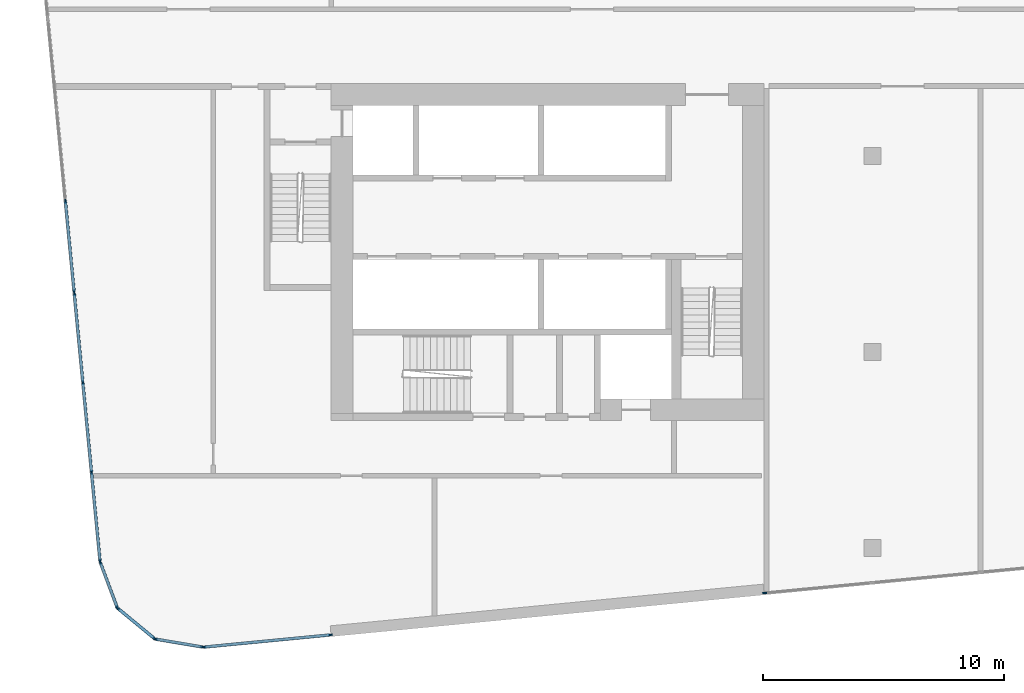
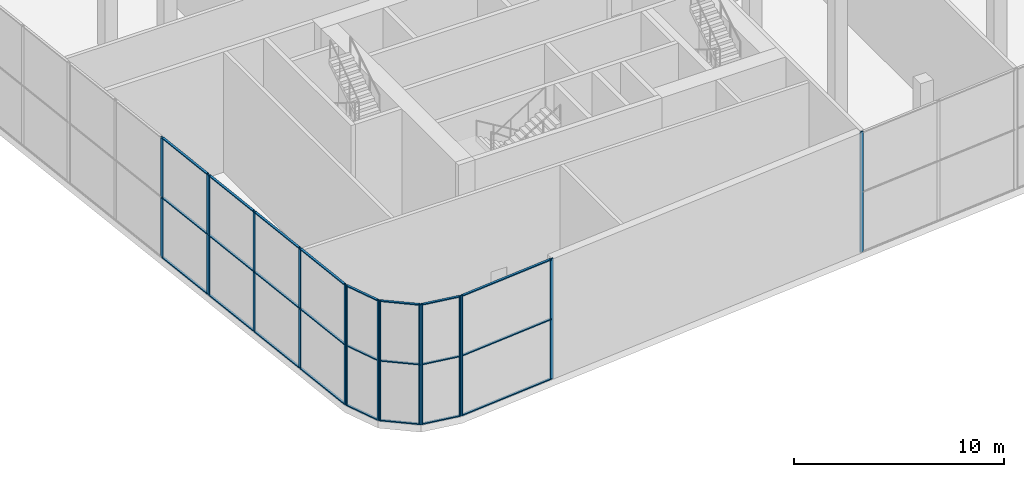
# One storey, part 2 of 25: 39 members, 7 elements without a shape of their own.
"""IFC4 building model written with IfcOpenShell, lengths in metres."""

from ifc_helpers import new_model, si_unit, direction, frame, origin, origin_2d, place, context, subcontext, project, spatial, rectangle, extrude, material, material_profile, profile_set, type_object, element, aggregate, save


model = new_model("IFC4")

# Units and contexts
model_context = context("Model", 3, precision=1e-05, world=origin(), true_north=direction((0.0, 1.0)))
body_context = subcontext(model_context, "Body", "Model", "MODEL_VIEW")
ifc_project = project(units=[si_unit("LENGTHUNIT", "METRE"), si_unit("AREAUNIT", "SQUARE_METRE"), si_unit("VOLUMEUNIT", "CUBIC_METRE"), si_unit("PLANEANGLEUNIT", "RADIAN"), si_unit("MASSUNIT", "GRAM", prefix="KILO")], contexts=[model_context])

# Site, building, storey
site_placement = place(None, origin())
site = spatial("IfcSite", under=ifc_project, at=site_placement, CompositionType="ELEMENT")
building_placement = place(site_placement, origin())
building = spatial("IfcBuilding", under=site, at=building_placement, Name="Kajstack Hotel Tower", CompositionType="ELEMENT")
storey_placement = place(building_placement, frame((0.0, 0.0, 155.0)))
storey = spatial("IfcBuildingStorey", under=building, at=storey_placement, Name="L36", CompositionType="ELEMENT", Elevation=155.0)

# Curtain wall, members
ifc_material_1 = material(Name="Aluminium-framed curtain wall, insulated glass with fritted edge", Category="aluminium")
curtain_wall_type = type_object("IfcCurtainWallType", Name="CW-SPA", PredefinedType="NOTDEFINED", material=ifc_material_1)
curtain_wall_1_placement = place(storey_placement, origin())
curtain_wall_1 = element("IfcCurtainWall", 1, at=curtain_wall_1_placement, inside=storey, type_object=curtain_wall_type, Name="Curtain wall CU7 L36-00-00-1", PredefinedType="NOTDEFINED")
ifc_material_2 = material(Name="Aluminium", Category="aluminium")
ifc_material_profile_1 = material_profile(ifc_material_2, rectangle(XDim=0.06005859375, YDim=0.179931640625, at=origin_2d()), Name="Aluminium mullion 60 x 180")
ifc_profile_set_1 = profile_set([ifc_material_profile_1], Name="Aluminium")
member_type_1 = type_object("IfcMemberType", Name="CW-M-SPA", PredefinedType="MULLION", material=ifc_profile_set_1)
member_1_placement = place(storey_placement, frame((-42.549072265625, -6.392822265625, 0.0), z_axis=(0.0, 0.0, 1.0), x_axis=(0.995396336722, 0.095844315639, 0.0)))
member_1 = element("IfcMember", 2, at=member_1_placement, type_object=member_type_1, Name="CU7 mullion 3", PredefinedType="MULLION", context=body_context, shape_type="SweptSolid", body=[
    extrude(rectangle(XDim=0.06005859375, YDim=0.179931640625, at=origin_2d()), origin(), (0.0, 0.0, 1.0), 7.0),
])
member_2_placement = place(storey_placement, frame((-42.186279296875, -10.162841796875, 0.0), z_axis=(0.0, 0.0, 1.0), x_axis=(0.995396336722, 0.095844315639, 0.0)))
member_2 = element("IfcMember", 3, at=member_2_placement, type_object=member_type_1, Name="CU7 mullion 4", PredefinedType="MULLION", context=body_context, shape_type="SweptSolid", body=[
    extrude(rectangle(XDim=0.06005859375, YDim=0.179931640625, at=origin_2d()), origin(), (0.0, 0.0, 1.0), 7.0),
])

curtain_wall_2_placement = place(storey_placement, origin())
curtain_wall_2 = element("IfcCurtainWall", 4, at=curtain_wall_2_placement, inside=storey, type_object=curtain_wall_type, Name="Curtain wall CU7 L36-00-00-2", PredefinedType="NOTDEFINED")
member_3_placement = place(storey_placement, frame((-42.180419921875, -10.22265625, 0.0), z_axis=(0.0, 0.0, 1.0), x_axis=(0.995396334827, 0.095844335322, 0.0)))
member_3 = element("IfcMember", 5, at=member_3_placement, type_object=member_type_1, Name="CU7 mullion 1", PredefinedType="MULLION", context=body_context, shape_type="SweptSolid", body=[
    extrude(rectangle(XDim=0.06005859375, YDim=0.179931640625, at=origin_2d()), origin(), (0.0, 0.0, 1.0), 7.0),
])
member_4_placement = place(storey_placement, frame((-41.82373046875, -13.926025390625, 0.0), z_axis=(0.0, 0.0, 1.0), x_axis=(0.995396334827, 0.095844335322, 0.0)))
member_4 = element("IfcMember", 6, at=member_4_placement, type_object=member_type_1, Name="CU7 mullion 2", PredefinedType="MULLION", context=body_context, shape_type="SweptSolid", body=[
    extrude(rectangle(XDim=0.06005859375, YDim=0.179931640625, at=origin_2d()), origin(), (0.0, 0.0, 1.0), 7.0),
])
member_5_placement = place(storey_placement, frame((-41.46435546875, -17.658935546875, 0.0), z_axis=(0.0, 0.0, 1.0), x_axis=(0.995396334827, 0.095844335322, 0.0)))
member_5 = element("IfcMember", 7, at=member_5_placement, type_object=member_type_1, Name="CU7 mullion 3", PredefinedType="MULLION", context=body_context, shape_type="SweptSolid", body=[
    extrude(rectangle(XDim=0.06005859375, YDim=0.179931640625, at=origin_2d()), origin(), (0.0, 0.0, 1.0), 7.0),
])
member_6_placement = place(storey_placement, frame((-41.10791015625, -21.3623046875, 0.0), z_axis=(0.0, 0.0, 1.0), x_axis=(0.995396334827, 0.095844335322, 0.0)))
member_6 = element("IfcMember", 8, at=member_6_placement, type_object=member_type_1, Name="CU7 mullion 4", PredefinedType="MULLION", context=body_context, shape_type="SweptSolid", body=[
    extrude(rectangle(XDim=0.06005859375, YDim=0.179931640625, at=origin_2d()), origin(), (0.0, 0.0, 1.0), 7.0),
])

curtain_wall_3_placement = place(storey_placement, origin())
curtain_wall_3 = element("IfcCurtainWall", 9, at=curtain_wall_3_placement, inside=storey, type_object=curtain_wall_type, Name="Curtain wall CU7 L36-01-00-0", PredefinedType="NOTDEFINED")
member_7_placement = place(storey_placement, frame((-41.098876953125, -21.401123046875, 0.0), z_axis=(0.0, 0.0, 1.0), x_axis=(0.936664162844, 0.350228848104, 0.0)))
member_7 = element("IfcMember", 10, at=member_7_placement, type_object=member_type_1, Name="CU7 mullion 1", PredefinedType="MULLION", context=body_context, shape_type="SweptSolid", body=[
    extrude(rectangle(XDim=0.06005859375, YDim=0.179931640625, at=origin_2d()), origin(), (0.0, 0.0, 1.0), 7.0),
])
member_8_placement = place(storey_placement, frame((-40.394775390625, -23.284423828125, 0.0), z_axis=(0.0, 0.0, 1.0), x_axis=(0.936664162844, 0.350228848104, 0.0)))
member_8 = element("IfcMember", 11, at=member_8_placement, type_object=member_type_1, Name="CU7 mullion 2", PredefinedType="MULLION", context=body_context, shape_type="SweptSolid", body=[
    extrude(rectangle(XDim=0.06005859375, YDim=0.179931640625, at=origin_2d()), origin(), (0.0, 0.0, 1.0), 7.0),
])

curtain_wall_4_placement = place(storey_placement, origin())
curtain_wall_4 = element("IfcCurtainWall", 12, at=curtain_wall_4_placement, inside=storey, type_object=curtain_wall_type, Name="Curtain wall CU7 L36-02-00-0", PredefinedType="NOTDEFINED")
member_9_placement = place(storey_placement, frame((-40.383544921875, -23.300048828125, 0.0), z_axis=(0.0, 0.0, 1.0), x_axis=(0.636089777678, 0.771615056057, 0.0)))
member_9 = element("IfcMember", 13, at=member_9_placement, type_object=member_type_1, Name="CU7 mullion 1", PredefinedType="MULLION", context=body_context, shape_type="SweptSolid", body=[
    extrude(rectangle(XDim=0.06005859375, YDim=0.179931640625, at=origin_2d()), origin(), (0.0, 0.0, 1.0), 7.0),
])
member_10_placement = place(storey_placement, frame((-38.832275390625, -24.578857421875, 0.0), z_axis=(0.0, 0.0, 1.0), x_axis=(0.636089777678, 0.771615056057, 0.0)))
member_10 = element("IfcMember", 14, at=member_10_placement, type_object=member_type_1, Name="CU7 mullion 2", PredefinedType="MULLION", context=body_context, shape_type="SweptSolid", body=[
    extrude(rectangle(XDim=0.06005859375, YDim=0.179931640625, at=origin_2d()), origin(), (0.0, 0.0, 1.0), 7.0),
])

curtain_wall_5_placement = place(storey_placement, origin())
curtain_wall_5 = element("IfcCurtainWall", 15, at=curtain_wall_5_placement, inside=storey, type_object=curtain_wall_type, Name="Curtain wall CU7 L36-03-00-0", PredefinedType="NOTDEFINED")
member_11_placement = place(storey_placement, frame((-38.81494140625, -24.586669921875, 0.0), z_axis=(0.0, 0.0, 1.0), x_axis=(0.165025489464, 0.986289302298, 0.0)))
member_11 = element("IfcMember", 16, at=member_11_placement, type_object=member_type_1, Name="CU7 mullion 1", PredefinedType="MULLION", context=body_context, shape_type="SweptSolid", body=[
    extrude(rectangle(XDim=0.06005859375, YDim=0.179931640625, at=origin_2d()), origin(), (0.0, 0.0, 1.0), 7.0),
])
member_12_placement = place(storey_placement, frame((-36.831787109375, -24.91845703125, 0.0), z_axis=(0.0, 0.0, 1.0), x_axis=(0.165025489464, 0.986289302298, 0.0)))
member_12 = element("IfcMember", 17, at=member_12_placement, type_object=member_type_1, Name="CU7 mullion 2", PredefinedType="MULLION", context=body_context, shape_type="SweptSolid", body=[
    extrude(rectangle(XDim=0.06005859375, YDim=0.179931640625, at=origin_2d()), origin(), (0.0, 0.0, 1.0), 7.0),
])

curtain_wall_6_placement = place(storey_placement, origin())
curtain_wall_6 = element("IfcCurtainWall", 18, at=curtain_wall_6_placement, inside=storey, type_object=curtain_wall_type, Name="Curtain wall CU7 L36-04-00-0", PredefinedType="NOTDEFINED")
member_13_placement = place(storey_placement, frame((-36.7919921875, -24.919921875, 0.0), z_axis=(0.0, 0.0, 1.0), x_axis=(-0.09584528696, 0.995396243195, 0.0)))
member_13 = element("IfcMember", 19, at=member_13_placement, type_object=member_type_1, Name="CU7 mullion 1", PredefinedType="MULLION", context=body_context, shape_type="SweptSolid", body=[
    extrude(rectangle(XDim=0.06005859375, YDim=0.179931640625, at=origin_2d()), origin(), (0.0, 0.0, 1.0), 7.0),
])
member_14_placement = place(storey_placement, frame((-31.537109375, -24.4140625, 0.0), z_axis=(0.0, 0.0, 1.0), x_axis=(-0.09584528696, 0.995396243195, 0.0)))
member_14 = element("IfcMember", 20, at=member_14_placement, type_object=member_type_1, Name="CU7 mullion 2", PredefinedType="MULLION", context=body_context, shape_type="SweptSolid", body=[
    extrude(rectangle(XDim=0.06005859375, YDim=0.179931640625, at=origin_2d()), origin(), (0.0, 0.0, 1.0), 7.0),
])

# Curtain wall, member
curtain_wall_7_placement = place(storey_placement, origin())
curtain_wall_7 = element("IfcCurtainWall", 21, at=curtain_wall_7_placement, inside=storey, type_object=curtain_wall_type, Name="Curtain wall CU7 L36-04-02-0", PredefinedType="NOTDEFINED")
member_15_placement = place(storey_placement, frame((-13.477294921875, -22.675048828125, 0.0), z_axis=(0.0, 0.0, 1.0), x_axis=(-0.095845383606, 0.99539623389, 0.0)))
member_15 = element("IfcMember", 22, at=member_15_placement, type_object=member_type_1, Name="CU7 mullion 1", PredefinedType="MULLION", context=body_context, shape_type="SweptSolid", body=[
    extrude(rectangle(XDim=0.06005859375, YDim=0.179931640625, at=origin_2d()), origin(), (0.0, 0.0, 1.0), 7.0),
])
aggregate(curtain_wall_7, [member_15])

# Member
ifc_material_profile_2 = material_profile(ifc_material_2, rectangle(XDim=0.1201171875, YDim=0.06005859375, at=origin_2d()), Name="Aluminium transom 120 x 60")
ifc_profile_set_2 = profile_set([ifc_material_profile_2], Name="Aluminium")
member_type_2 = type_object("IfcMemberType", Name="CW-T-SPA", PredefinedType="USERDEFINED", material=ifc_profile_set_2)
member_16_placement = place(storey_placement, frame((-42.54638671875, -6.422607421875, 0.030029296875), z_axis=(0.095884626486, -0.995392454464, 0.0), x_axis=(0.995392454464, 0.095884626486, 0.0)))
member_16 = element("IfcMember", 23, at=member_16_placement, type_object=member_type_2, Name="CU7 transom 3.1", ObjectType="TRANSOM", PredefinedType="USERDEFINED", context=body_context, shape_type="SweptSolid", body=[
    extrude(rectangle(XDim=0.1201171875, YDim=0.06005859375, at=origin_2d()), origin(), (0.0, 0.0, 1.0), 3.7275390625),
])

member_17_placement = place(storey_placement, frame((-42.54638671875, -6.422607421875, 3.5), z_axis=(0.095884626486, -0.995392454464, 0.0), x_axis=(0.995392454464, 0.095884626486, 0.0)))
member_17 = element("IfcMember", 24, at=member_17_placement, type_object=member_type_2, Name="CU7 transom 3.2", ObjectType="TRANSOM", PredefinedType="USERDEFINED", context=body_context, shape_type="SweptSolid", body=[
    extrude(rectangle(XDim=0.1201171875, YDim=0.06005859375, at=origin_2d()), origin(), (0.0, 0.0, 1.0), 3.7275390625),
])

member_18_placement = place(storey_placement, frame((-42.54638671875, -6.422607421875, 6.969970703125), z_axis=(0.095884626486, -0.995392454464, 0.0), x_axis=(0.995392454464, 0.095884626486, 0.0)))
member_18 = element("IfcMember", 25, at=member_18_placement, type_object=member_type_2, Name="CU7 transom 3.3", ObjectType="TRANSOM", PredefinedType="USERDEFINED", context=body_context, shape_type="SweptSolid", body=[
    extrude(rectangle(XDim=0.1201171875, YDim=0.06005859375, at=origin_2d()), origin(), (0.0, 0.0, 1.0), 3.7275390625),
])

aggregate(curtain_wall_1, [member_1, member_2, member_16, member_17, member_18])

member_19_placement = place(storey_placement, frame((-42.177490234375, -10.25244140625, 0.030029296875), z_axis=(0.095844579162, -0.995396311348, 0.0), x_axis=(0.995396311348, 0.095844579162, 0.0)))
member_19 = element("IfcMember", 26, at=member_19_placement, type_object=member_type_2, Name="CU7 transom 1.1", ObjectType="TRANSOM", PredefinedType="USERDEFINED", context=body_context, shape_type="SweptSolid", body=[
    extrude(rectangle(XDim=0.1201171875, YDim=0.06005859375, at=origin_2d()), origin(), (0.0, 0.0, 1.0), 3.660400390625),
])

member_20_placement = place(storey_placement, frame((-42.177490234375, -10.25244140625, 3.5), z_axis=(0.095844579162, -0.995396311348, 0.0), x_axis=(0.995396311348, 0.095844579162, 0.0)))
member_20 = element("IfcMember", 27, at=member_20_placement, type_object=member_type_2, Name="CU7 transom 1.2", ObjectType="TRANSOM", PredefinedType="USERDEFINED", context=body_context, shape_type="SweptSolid", body=[
    extrude(rectangle(XDim=0.1201171875, YDim=0.06005859375, at=origin_2d()), origin(), (0.0, 0.0, 1.0), 3.660400390625),
])

member_21_placement = place(storey_placement, frame((-42.177490234375, -10.25244140625, 6.969970703125), z_axis=(0.095844579162, -0.995396311348, 0.0), x_axis=(0.995396311348, 0.095844579162, 0.0)))
member_21 = element("IfcMember", 28, at=member_21_placement, type_object=member_type_2, Name="CU7 transom 1.3", ObjectType="TRANSOM", PredefinedType="USERDEFINED", context=body_context, shape_type="SweptSolid", body=[
    extrude(rectangle(XDim=0.1201171875, YDim=0.06005859375, at=origin_2d()), origin(), (0.0, 0.0, 1.0), 3.660400390625),
])

member_22_placement = place(storey_placement, frame((-41.821044921875, -13.955810546875, 0.030029296875), z_axis=(0.095861155272, -0.995394715131, 0.0), x_axis=(0.995394715131, 0.095861155272, 0.0)))
member_22 = element("IfcMember", 29, at=member_22_placement, type_object=member_type_2, Name="CU7 transom 2.1", ObjectType="TRANSOM", PredefinedType="USERDEFINED", context=body_context, shape_type="SweptSolid", body=[
    extrude(rectangle(XDim=0.1201171875, YDim=0.06005859375, at=origin_2d()), origin(), (0.0, 0.0, 1.0), 3.6904296875),
])

member_23_placement = place(storey_placement, frame((-41.821044921875, -13.955810546875, 3.5), z_axis=(0.095861155272, -0.995394715131, 0.0), x_axis=(0.995394715131, 0.095861155272, 0.0)))
member_23 = element("IfcMember", 30, at=member_23_placement, type_object=member_type_2, Name="CU7 transom 2.2", ObjectType="TRANSOM", PredefinedType="USERDEFINED", context=body_context, shape_type="SweptSolid", body=[
    extrude(rectangle(XDim=0.1201171875, YDim=0.06005859375, at=origin_2d()), origin(), (0.0, 0.0, 1.0), 3.6904296875),
])

member_24_placement = place(storey_placement, frame((-41.821044921875, -13.955810546875, 6.969970703125), z_axis=(0.095861155272, -0.995394715131, 0.0), x_axis=(0.995394715131, 0.095861155272, 0.0)))
member_24 = element("IfcMember", 31, at=member_24_placement, type_object=member_type_2, Name="CU7 transom 2.3", ObjectType="TRANSOM", PredefinedType="USERDEFINED", context=body_context, shape_type="SweptSolid", body=[
    extrude(rectangle(XDim=0.1201171875, YDim=0.06005859375, at=origin_2d()), origin(), (0.0, 0.0, 1.0), 3.6904296875),
])

member_25_placement = place(storey_placement, frame((-41.46142578125, -17.68896484375, 0.030029296875), z_axis=(0.095850942764, -0.99539569859, 0.0), x_axis=(0.99539569859, 0.095850942764, 0.0)))
member_25 = element("IfcMember", 32, at=member_25_placement, type_object=member_type_2, Name="CU7 transom 3.1", ObjectType="TRANSOM", PredefinedType="USERDEFINED", context=body_context, shape_type="SweptSolid", body=[
    extrude(rectangle(XDim=0.1201171875, YDim=0.06005859375, at=origin_2d()), origin(), (0.0, 0.0, 1.0), 3.66015625),
])

member_26_placement = place(storey_placement, frame((-41.46142578125, -17.68896484375, 3.5), z_axis=(0.095850942764, -0.99539569859, 0.0), x_axis=(0.99539569859, 0.095850942764, 0.0)))
member_26 = element("IfcMember", 33, at=member_26_placement, type_object=member_type_2, Name="CU7 transom 3.2", ObjectType="TRANSOM", PredefinedType="USERDEFINED", context=body_context, shape_type="SweptSolid", body=[
    extrude(rectangle(XDim=0.1201171875, YDim=0.06005859375, at=origin_2d()), origin(), (0.0, 0.0, 1.0), 3.66015625),
])

member_27_placement = place(storey_placement, frame((-41.46142578125, -17.68896484375, 6.969970703125), z_axis=(0.095850942764, -0.99539569859, 0.0), x_axis=(0.99539569859, 0.095850942764, 0.0)))
member_27 = element("IfcMember", 34, at=member_27_placement, type_object=member_type_2, Name="CU7 transom 3.3", ObjectType="TRANSOM", PredefinedType="USERDEFINED", context=body_context, shape_type="SweptSolid", body=[
    extrude(rectangle(XDim=0.1201171875, YDim=0.06005859375, at=origin_2d()), origin(), (0.0, 0.0, 1.0), 3.66015625),
])

aggregate(curtain_wall_2, [member_3, member_4, member_5, member_6, member_19, member_20, member_21, member_22, member_23, member_24, member_25, member_26, member_27])

member_28_placement = place(storey_placement, frame((-41.08837890625, -21.42919921875, 0.030029296875), z_axis=(0.350190587105, -0.936678468154, 0.0), x_axis=(0.936678468154, 0.350190587105, 0.0)))
member_28 = element("IfcMember", 35, at=member_28_placement, type_object=member_type_2, Name="CU7 transom 1.1", ObjectType="TRANSOM", PredefinedType="USERDEFINED", context=body_context, shape_type="SweptSolid", body=[
    extrude(rectangle(XDim=0.1201171875, YDim=0.06005859375, at=origin_2d()), origin(), (0.0, 0.0, 1.0), 1.95068359375),
])

member_29_placement = place(storey_placement, frame((-41.08837890625, -21.42919921875, 3.5), z_axis=(0.350190587105, -0.936678468154, 0.0), x_axis=(0.936678468154, 0.350190587105, 0.0)))
member_29 = element("IfcMember", 36, at=member_29_placement, type_object=member_type_2, Name="CU7 transom 1.2", ObjectType="TRANSOM", PredefinedType="USERDEFINED", context=body_context, shape_type="SweptSolid", body=[
    extrude(rectangle(XDim=0.1201171875, YDim=0.06005859375, at=origin_2d()), origin(), (0.0, 0.0, 1.0), 1.95068359375),
])

member_30_placement = place(storey_placement, frame((-41.08837890625, -21.42919921875, 6.969970703125), z_axis=(0.350190587105, -0.936678468154, 0.0), x_axis=(0.936678468154, 0.350190587105, 0.0)))
member_30 = element("IfcMember", 37, at=member_30_placement, type_object=member_type_2, Name="CU7 transom 1.3", ObjectType="TRANSOM", PredefinedType="USERDEFINED", context=body_context, shape_type="SweptSolid", body=[
    extrude(rectangle(XDim=0.1201171875, YDim=0.06005859375, at=origin_2d()), origin(), (0.0, 0.0, 1.0), 1.95068359375),
])

aggregate(curtain_wall_3, [member_7, member_8, member_28, member_29, member_30])

member_31_placement = place(storey_placement, frame((-40.3603515625, -23.319091796875, 0.030029296875), z_axis=(0.771576013797, -0.63613713532, 0.0), x_axis=(0.63613713532, 0.771576013797, 0.0)))
member_31 = element("IfcMember", 38, at=member_31_placement, type_object=member_type_2, Name="CU7 transom 1.1", ObjectType="TRANSOM", PredefinedType="USERDEFINED", context=body_context, shape_type="SweptSolid", body=[
    extrude(rectangle(XDim=0.1201171875, YDim=0.06005859375, at=origin_2d()), origin(), (0.0, 0.0, 1.0), 1.950439453125),
])

member_32_placement = place(storey_placement, frame((-40.3603515625, -23.319091796875, 3.5), z_axis=(0.771576013797, -0.63613713532, 0.0), x_axis=(0.63613713532, 0.771576013797, 0.0)))
member_32 = element("IfcMember", 39, at=member_32_placement, type_object=member_type_2, Name="CU7 transom 1.2", ObjectType="TRANSOM", PredefinedType="USERDEFINED", context=body_context, shape_type="SweptSolid", body=[
    extrude(rectangle(XDim=0.1201171875, YDim=0.06005859375, at=origin_2d()), origin(), (0.0, 0.0, 1.0), 1.950439453125),
])

member_33_placement = place(storey_placement, frame((-40.3603515625, -23.319091796875, 6.969970703125), z_axis=(0.771576013797, -0.63613713532, 0.0), x_axis=(0.63613713532, 0.771576013797, 0.0)))
member_33 = element("IfcMember", 40, at=member_33_placement, type_object=member_type_2, Name="CU7 transom 1.3", ObjectType="TRANSOM", PredefinedType="USERDEFINED", context=body_context, shape_type="SweptSolid", body=[
    extrude(rectangle(XDim=0.1201171875, YDim=0.06005859375, at=origin_2d()), origin(), (0.0, 0.0, 1.0), 1.950439453125),
])

aggregate(curtain_wall_4, [member_9, member_10, member_31, member_32, member_33])

member_34_placement = place(storey_placement, frame((-38.78515625, -24.591796875, 0.030029296875), z_axis=(0.986299040765, -0.164967276108, 0.0), x_axis=(0.164967276108, 0.986299040765, 0.0)))
member_34 = element("IfcMember", 41, at=member_34_placement, type_object=member_type_2, Name="CU7 transom 1.1", ObjectType="TRANSOM", PredefinedType="USERDEFINED", context=body_context, shape_type="SweptSolid", body=[
    extrude(rectangle(XDim=0.1201171875, YDim=0.06005859375, at=origin_2d()), origin(), (0.0, 0.0, 1.0), 1.950439453125),
])

member_35_placement = place(storey_placement, frame((-38.78515625, -24.591796875, 3.5), z_axis=(0.986299040765, -0.164967276108, 0.0), x_axis=(0.164967276108, 0.986299040765, 0.0)))
member_35 = element("IfcMember", 42, at=member_35_placement, type_object=member_type_2, Name="CU7 transom 1.2", ObjectType="TRANSOM", PredefinedType="USERDEFINED", context=body_context, shape_type="SweptSolid", body=[
    extrude(rectangle(XDim=0.1201171875, YDim=0.06005859375, at=origin_2d()), origin(), (0.0, 0.0, 1.0), 1.950439453125),
])

member_36_placement = place(storey_placement, frame((-38.78515625, -24.591796875, 6.969970703125), z_axis=(0.986299040765, -0.164967276108, 0.0), x_axis=(0.164967276108, 0.986299040765, 0.0)))
member_36 = element("IfcMember", 43, at=member_36_placement, type_object=member_type_2, Name="CU7 transom 1.3", ObjectType="TRANSOM", PredefinedType="USERDEFINED", context=body_context, shape_type="SweptSolid", body=[
    extrude(rectangle(XDim=0.1201171875, YDim=0.06005859375, at=origin_2d()), origin(), (0.0, 0.0, 1.0), 1.950439453125),
])

aggregate(curtain_wall_5, [member_11, member_12, member_34, member_35, member_36])

member_37_placement = place(storey_placement, frame((-36.761962890625, -24.9169921875, 0.030029296875), z_axis=(0.995395906744, 0.095848781095, 0.0), x_axis=(-0.095848781095, 0.995395906744, 0.0)))
member_37 = element("IfcMember", 44, at=member_37_placement, type_object=member_type_2, Name="CU7 transom 1.1", ObjectType="TRANSOM", PredefinedType="USERDEFINED", context=body_context, shape_type="SweptSolid", body=[
    extrude(rectangle(XDim=0.1201171875, YDim=0.06005859375, at=origin_2d()), origin(), (0.0, 0.0, 1.0), 5.218994140625),
])

member_38_placement = place(storey_placement, frame((-36.761962890625, -24.9169921875, 3.5), z_axis=(0.995395906744, 0.095848781095, 0.0), x_axis=(-0.095848781095, 0.995395906744, 0.0)))
member_38 = element("IfcMember", 45, at=member_38_placement, type_object=member_type_2, Name="CU7 transom 1.2", ObjectType="TRANSOM", PredefinedType="USERDEFINED", context=body_context, shape_type="SweptSolid", body=[
    extrude(rectangle(XDim=0.1201171875, YDim=0.06005859375, at=origin_2d()), origin(), (0.0, 0.0, 1.0), 5.218994140625),
])

member_39_placement = place(storey_placement, frame((-36.761962890625, -24.9169921875, 6.969970703125), z_axis=(0.995395906744, 0.095848781095, 0.0), x_axis=(-0.095848781095, 0.995395906744, 0.0)))
member_39 = element("IfcMember", 46, at=member_39_placement, type_object=member_type_2, Name="CU7 transom 1.3", ObjectType="TRANSOM", PredefinedType="USERDEFINED", context=body_context, shape_type="SweptSolid", body=[
    extrude(rectangle(XDim=0.1201171875, YDim=0.06005859375, at=origin_2d()), origin(), (0.0, 0.0, 1.0), 5.218994140625),
])

aggregate(curtain_wall_6, [member_13, member_14, member_37, member_38, member_39])

save(model, "model.ifc")
